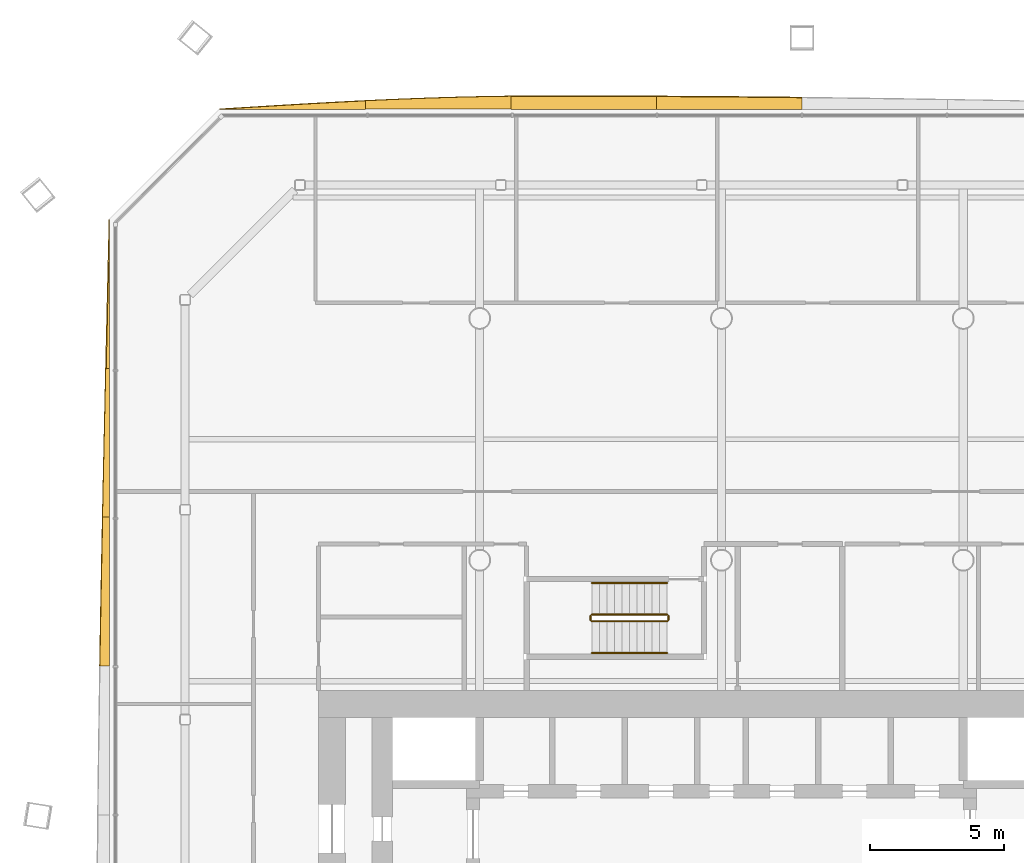
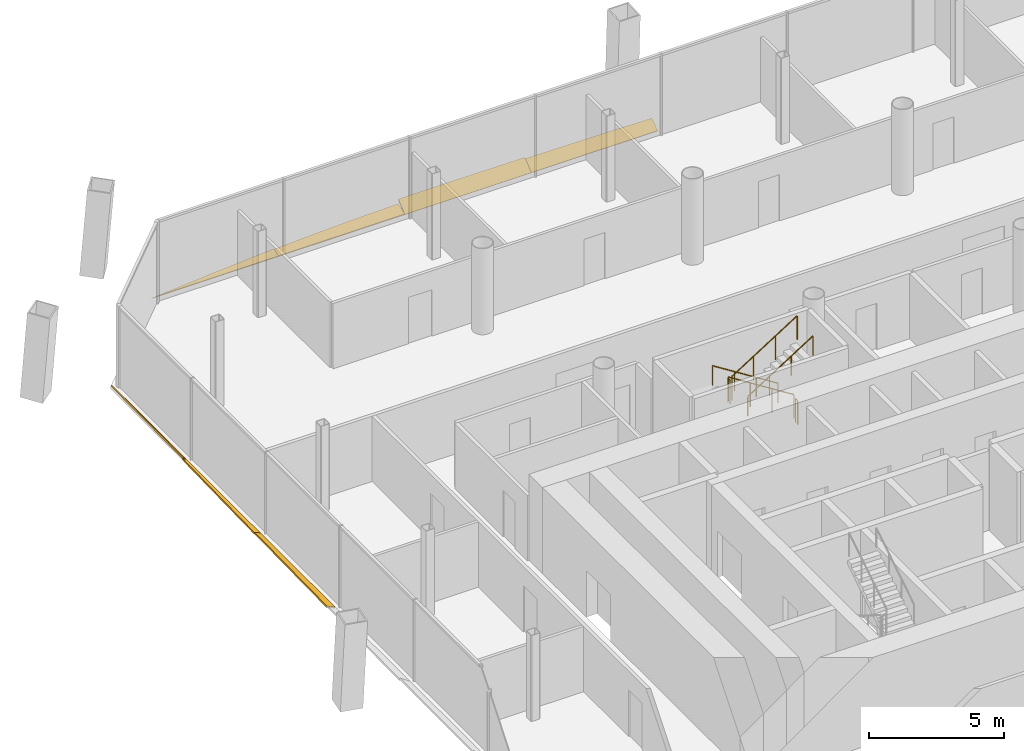
# One storey, part 19 of 20: 7 shading devices, 6 railings.
"""IFC4 building model written with IfcOpenShell, lengths in metres."""

from ifc_helpers import new_model, si_unit, direction, frame, origin, origin_2d, place, context, subcontext, project, spatial, polyline, circle, outline, extrude, material, layer, layer_set, type_object, element, save


model = new_model("IFC4")

# Units and contexts
model_context = context("Model", 3, precision=1e-05, world=origin(), true_north=direction((0.0, 1.0)))
body_context = subcontext(model_context, "Body", "Model", "MODEL_VIEW")
ifc_project = project(units=[si_unit("LENGTHUNIT", "METRE"), si_unit("AREAUNIT", "SQUARE_METRE"), si_unit("VOLUMEUNIT", "CUBIC_METRE"), si_unit("PLANEANGLEUNIT", "RADIAN"), si_unit("MASSUNIT", "GRAM", prefix="KILO")], contexts=[model_context])

# Site, building, storey
site_placement = place(None, origin())
site = spatial("IfcSite", under=ifc_project, at=site_placement, CompositionType="ELEMENT")
building_placement = place(site_placement, origin())
building = spatial("IfcBuilding", under=site, at=building_placement, Name="Tskaro Facet Tower", CompositionType="ELEMENT")
storey_placement = place(building_placement, frame((0.0, 0.0, 66.0)))
storey = spatial("IfcBuildingStorey", under=building, at=storey_placement, Name="L15", CompositionType="ELEMENT", Elevation=66.0)

# Shading devices
ifc_material_1 = material(Name="Bronze anodised aluminium 6063-T6", Category="aluminium")
ifc_layer = layer(ifc_material_1, 0.06005859375, Name="Bronze anodised aluminium 6063-T6")
ifc_layer_set = layer_set([ifc_layer], Name="Bronze anodised aluminium 6063-T6")
shading_device_type = type_object("IfcShadingDeviceType", Name="Bronze sun blade (FN1)", PredefinedType="USERDEFINED", material=ifc_layer_set)
shading_device_1_placement = place(storey_placement, frame((3.0, 25.774658203125, 0.049072265625), z_axis=(-8.703753e-06, -0.573694642683, 0.819069262567), x_axis=(-0.999999999962, 4.993297e-06, -7.128977e-06)))
element("IfcShadingDevice", 1, at=shading_device_1_placement, inside=storey, type_object=shading_device_type, Name="Fin blade north 5", ObjectType="FIN", PredefinedType="USERDEFINED", context=body_context, shape_type="SweptSolid", body=[
    extrude(outline(polyline([(0.0, 0.0), (5.419433593544724, 4.590438809363027e-21), (5.419433593950978, -0.5877629119671283), (4.74194335872037, -0.583362769055505), (4.064697265157565, -0.578282565643246), (3.3872070320125824, -0.5725223017303511), (2.709716796950872, -0.5660220714037607), (2.0322265611915022, -0.5589818427451636), (1.3549804688404083, -0.5511214914173015), (0.6774902351666634, -0.5427211417574327), (-4.2380829902634336e-10, -0.5335808256838683), (0.0, 0.0)])), origin(), (0.0, 0.0, -1.0), 0.06005859375),
])
shading_device_2_placement = place(storey_placement, frame((-2.41943359375, 25.7705078125, 0.0458984375), z_axis=(-3.443846e-06, -0.642882935084, 0.765964445497), x_axis=(-0.999999999994, 2.21399e-06, -2.637864e-06)))
element("IfcShadingDevice", 2, at=shading_device_2_placement, inside=storey, type_object=shading_device_type, Name="Fin blade north 6", ObjectType="FIN", PredefinedType="USERDEFINED", context=body_context, shape_type="SweptSolid", body=[
    extrude(outline(polyline([(0.0, 0.0), (5.419677734342861, 0.0), (5.419677734548473, -0.6300914301923191), (4.742187500166408, -0.6380625368266915), (4.064697265404588, -0.641345151785385), (3.945556640405294, -0.641345151785385), (3.3872070311370903, -0.6410011949053581), (2.709716796432552, -0.640126278106852), (2.0324707032039924, -0.6384064937067182), (1.3549804690168787, -0.6358117925080783), (0.677490234392725, -0.6326861313909591), (7.902574493757294e-11, -0.6285285996337595), (0.0, 0.0)])), origin(), (0.0, 0.0, -1.0), 0.06005859375),
])
shading_device_3_placement = place(storey_placement, frame((-7.839111328125, 25.78857421875, 0.056396484375), z_axis=(1.6129492e-05, -0.34204875429, 0.939682206615), x_axis=(-0.99999999987, -5.517073e-06, 1.5156597e-05)))
element("IfcShadingDevice", 3, at=shading_device_3_placement, inside=storey, type_object=shading_device_type, Name="Fin blade north 7", ObjectType="FIN", PredefinedType="USERDEFINED", context=body_context, shape_type="SweptSolid", body=[
    extrude(outline(polyline([(0.0, 0.0), (5.419433593045039, 4.590438809363027e-21), (5.419433592978247, -0.3333371678510376), (4.741943358851939, -0.36685652725601836), (4.064453124740625, -0.3975182940605486), (3.386962890644304, -0.42532246826462816), (2.7097167985348856, -0.4500396352670031), (2.0322265611086943, -0.47127336447309165), (1.35473632773832, -0.4889612572749672), (0.6772460933764819, -0.5032492202772201), (-2.3583107928325132e-09, -0.5135949162806784), (0.0, 0.0)])), origin(), (0.0, 0.0, -1.0), 0.06005859375),
])
shading_device_4_placement = place(storey_placement, frame((-13.258544921875, 25.78369140625, 0.054443359375), z_axis=(-1.192287e-06, -0.422444240743, 0.906388914022), x_axis=(-0.999999999999, 5.03675e-07, -1.080675e-06)))
element("IfcShadingDevice", 4, at=shading_device_4_placement, inside=storey, type_object=shading_device_type, Name="Fin blade north 8", ObjectType="FIN", PredefinedType="USERDEFINED", context=body_context, shape_type="SweptSolid", body=[
    extrude(outline(polyline([(0.0, 0.0), (5.419433593746148, 2.869024255851892e-22), (4.741943359274218, -0.04663653945949541), (4.064697265691125, -0.09316994311802804), (3.3872070313779665, -0.13893635190771042), (2.709716796836775, -0.1837144794725801), (2.0322265624722564, -0.22707676785474898), (1.354736328038476, -0.2685806443422921), (0.6774902344242709, -0.30812297313424675), (-7.163532108549569e-12, -0.3455856036756131), (0.0, 0.0)])), origin(), (0.0, 0.0, -1.0), 0.06005859375),
])
shading_device_5_placement = place(storey_placement, frame((-22.7705078125, 21.677978515625, 0.0458984375), z_axis=(0.643523672649, -9.215359e-06, 0.765426209804), x_axis=(-5.930302e-06, -0.999999999958, -7.053677e-06)))
element("IfcShadingDevice", 5, at=shading_device_5_placement, inside=storey, type_object=shading_device_type, Name="Fin blade west 1", ObjectType="FIN", PredefinedType="USERDEFINED", context=body_context, shape_type="SweptSolid", body=[
    extrude(outline(polyline([(0.0, 0.0), (5.539062499764804, 4.691768434400773e-21), (5.539062500235197, -0.16964400032214616), (4.846679686922883, -0.14866940758620165), (4.154296875058396, -0.1278816864835181), (3.461914063468172, -0.10674998347592414), (2.76953125043012, -0.0854314088350692), (2.0771484373920672, -0.06411283419421428), (1.3847656243540154, -0.04279425955335934), (0.6923828113159631, -0.021475684912504407), (0.0, 0.0)])), origin(), (0.0, 0.0, -1.0), 0.06005859375),
])
shading_device_6_placement = place(storey_placement, frame((-22.78857421875, 16.138916015625, 0.056396484375), z_axis=(0.341869499291, -1.3300027e-05, 0.939747436963), x_axis=(-4.546874e-06, -0.999999999912, -1.2498666e-05)))
element("IfcShadingDevice", 6, at=shading_device_6_placement, inside=storey, type_object=shading_device_type, Name="Fin blade west 2", ObjectType="FIN", PredefinedType="USERDEFINED", context=body_context, shape_type="SweptSolid", body=[
    extrude(outline(polyline([(0.0, 0.0), (5.539062499510096, 0.0), (5.539062500264432, -0.2665278793104607), (4.846679686411229, -0.2512387293418477), (4.154296875609459, -0.23586611514000205), (3.461914062587535, -0.2200346398849114), (2.769531249565612, -0.2042031646298208), (2.077148437374967, -0.1878293640882525), (1.384765625184323, -0.1714555635466842), (0.692382811883602, -0.15485233247849345), (-1.4171190058347338e-09, -0.13824910141030267), (0.0, 0.0)])), origin(), (0.0, 0.0, -1.0), 0.06005859375),
])
shading_device_7_placement = place(storey_placement, frame((-22.78369140625, 10.599853515625, 0.054443359375), z_axis=(0.422541341924, 1.4662507e-05, 0.906343651244), x_axis=(6.195516e-06, -0.999999999893, 1.328927e-05)))
element("IfcShadingDevice", 7, at=shading_device_7_placement, inside=storey, type_object=shading_device_type, Name="Fin blade west 3", ObjectType="FIN", PredefinedType="USERDEFINED", context=body_context, shape_type="SweptSolid", body=[
    extrude(outline(polyline([(0.0, 0.0), (5.5393066400295545, 4.691975229553911e-21), (5.539306641334871, -0.38981803450200697), (4.846923826890628, -0.3768241511695658), (4.154541013958962, -0.36360899253162143), (3.462158202539873, -0.3501725585881737), (2.7697753909014877, -0.33619041452640275), (2.0773925790438046, -0.3216625603463086), (1.3847656248292746, -0.30681027135339445), (0.6923828127522952, -0.291736707054977), (-1.0565579372734438e-09, -0.2763387079437396), (0.0, 0.0)])), origin(), (0.0, 0.0, -1.0), 0.06005859375),
])

# Railings
ifc_material_2 = material(Name="Stainless steel", Category="steel")
railing_type_1 = type_object("IfcRailingType", Name="RL-GUARD-1100", PredefinedType="GUARDRAIL", material=ifc_material_2)
railing_1_placement = place(storey_placement, frame((-2.02490234375, 6.97509765625, 0.17724609375)))
element("IfcRailing", 8, at=railing_1_placement, inside=storey, type_object=railing_type_1, Name="L15 ST-3 stair guard 1", PredefinedType="GUARDRAIL", context=body_context, shape_type="SweptSolid", body=[
    extrude(circle(Radius=0.02392578125, at=origin_2d()), frame((0.0, 0.0, 1.076171875), z_axis=(-0.844908973607, 0.0, 0.534910110503), x_axis=(0.0, -1.0, 0.0)), (0.0, 0.0, 1.0), 3.31396484375),
    extrude(circle(Radius=0.02099609375, at=origin_2d()), origin(), (0.0, 0.0, 1.0), 1.052001953125),
    extrude(circle(Radius=0.02099609375, at=origin_2d()), frame((-0.933349609375, 0.0, 0.5908203125)), (0.0, 0.0, 1.0), 1.052001953125),
    extrude(circle(Radius=0.02099609375, at=origin_2d()), frame((-1.86669921875, 0.0, 1.181884765625)), (0.0, 0.0, 1.0), 1.052001953125),
    extrude(circle(Radius=0.02099609375, at=origin_2d()), frame((-2.800048828125, 0.0, 1.772705078125)), (0.0, 0.0, 1.0), 1.052001953125),
])
railing_2_placement = place(storey_placement, frame((-4.875, 6.925048828125, 1.949951171875)))
element("IfcRailing", 9, at=railing_2_placement, inside=storey, type_object=railing_type_1, Name="L15 ST-3 stair guard 2", PredefinedType="GUARDRAIL", context=body_context, shape_type="SweptSolid", body=[
    extrude(circle(Radius=0.02392578125, at=origin_2d()), frame((0.0, 0.0, 1.076171875), z_axis=(0.0, -1.0, 0.0), x_axis=(1.0, 0.0, 0.0)), (0.0, 0.0, 1.0), 0.150146484375),
    extrude(circle(Radius=0.02099609375, at=origin_2d()), origin(), (0.0, 0.0, 1.0), 1.052001953125),
    extrude(circle(Radius=0.02099609375, at=origin_2d()), frame((0.0, -0.150146484375, 0.0)), (0.0, 0.0, 1.0), 1.052001953125),
])
railing_3_placement = place(storey_placement, frame((-4.824951171875, 6.72509765625, 2.127197265625)))
element("IfcRailing", 10, at=railing_3_placement, inside=storey, type_object=railing_type_1, Name="L15 ST-3 stair guard 3", PredefinedType="GUARDRAIL", context=body_context, shape_type="SweptSolid", body=[
    extrude(circle(Radius=0.02392578125, at=origin_2d()), frame((0.0, 0.0, 1.076171875), z_axis=(0.844908973607, 0.0, 0.534910110503), x_axis=(0.0, 1.0, 0.0)), (0.0, 0.0, 1.0), 3.31396484375),
    extrude(circle(Radius=0.02099609375, at=origin_2d()), origin(), (0.0, 0.0, 1.0), 1.052001953125),
    extrude(circle(Radius=0.02099609375, at=origin_2d()), frame((0.933349609375, 0.0, 0.5908203125)), (0.0, 0.0, 1.0), 1.052001953125),
    extrude(circle(Radius=0.02099609375, at=origin_2d()), frame((1.86669921875, 0.0, 1.181884765625)), (0.0, 0.0, 1.0), 1.052001953125),
    extrude(circle(Radius=0.02099609375, at=origin_2d()), frame((2.800048828125, 0.0, 1.772705078125)), (0.0, 0.0, 1.0), 1.052001953125),
])
railing_4_placement = place(storey_placement, frame((-1.97509765625, 6.925048828125, 0.0)))
element("IfcRailing", 11, at=railing_4_placement, inside=storey, type_object=railing_type_1, Name="L15 ST-3 stair guard 4", PredefinedType="GUARDRAIL", context=body_context, shape_type="SweptSolid", body=[
    extrude(circle(Radius=0.02392578125, at=origin_2d()), frame((0.0, 0.0, 1.076171875), z_axis=(0.0, -1.0, 0.0), x_axis=(1.0, 0.0, 0.0)), (0.0, 0.0, 1.0), 0.150146484375),
    extrude(circle(Radius=0.02099609375, at=origin_2d()), origin(), (0.0, 0.0, 1.0), 1.052001953125),
    extrude(circle(Radius=0.02099609375, at=origin_2d()), frame((0.0, -0.150146484375, 0.0)), (0.0, 0.0, 1.0), 1.052001953125),
])
railing_type_2 = type_object("IfcRailingType", Name="RL-HANDRAIL-900", PredefinedType="HANDRAIL", material=ifc_material_2)
railing_5_placement = place(storey_placement, frame((-2.02490234375, 8.14990234375, 0.17724609375)))
element("IfcRailing", 12, at=railing_5_placement, inside=storey, type_object=railing_type_2, Name="L15 ST-3 stair handrail 1", PredefinedType="HANDRAIL", context=body_context, shape_type="SweptSolid", body=[
    extrude(circle(Radius=0.02392578125, at=origin_2d()), frame((0.0, 0.0, 0.8759765625), z_axis=(-0.844908973607, 0.0, 0.534910110503), x_axis=(0.0, -1.0, 0.0)), (0.0, 0.0, 1.0), 3.31396484375),
    extrude(circle(Radius=0.02099609375, at=origin_2d()), origin(), (0.0, 0.0, 1.0), 0.851806640625),
    extrude(circle(Radius=0.02099609375, at=origin_2d()), frame((-0.933349609375, 0.0, 0.5908203125)), (0.0, 0.0, 1.0), 0.851806640625),
    extrude(circle(Radius=0.02099609375, at=origin_2d()), frame((-1.86669921875, 0.0, 1.181884765625)), (0.0, 0.0, 1.0), 0.851806640625),
    extrude(circle(Radius=0.02099609375, at=origin_2d()), frame((-2.800048828125, 0.0, 1.772705078125)), (0.0, 0.0, 1.0), 0.851806640625),
])
railing_6_placement = place(storey_placement, frame((-4.824951171875, 5.550048828125, 2.127197265625)))
element("IfcRailing", 13, at=railing_6_placement, inside=storey, type_object=railing_type_2, Name="L15 ST-3 stair handrail 2", PredefinedType="HANDRAIL", context=body_context, shape_type="SweptSolid", body=[
    extrude(circle(Radius=0.02392578125, at=origin_2d()), frame((0.0, 0.0, 0.8759765625), z_axis=(0.844908973607, 0.0, 0.534910110503), x_axis=(0.0, 1.0, 0.0)), (0.0, 0.0, 1.0), 3.31396484375),
    extrude(circle(Radius=0.02099609375, at=origin_2d()), origin(), (0.0, 0.0, 1.0), 0.851806640625),
    extrude(circle(Radius=0.02099609375, at=origin_2d()), frame((0.933349609375, 0.0, 0.5908203125)), (0.0, 0.0, 1.0), 0.851806640625),
    extrude(circle(Radius=0.02099609375, at=origin_2d()), frame((1.86669921875, 0.0, 1.181884765625)), (0.0, 0.0, 1.0), 0.851806640625),
    extrude(circle(Radius=0.02099609375, at=origin_2d()), frame((2.800048828125, 0.0, 1.772705078125)), (0.0, 0.0, 1.0), 0.851806640625),
])

save(model, "model.ifc")
